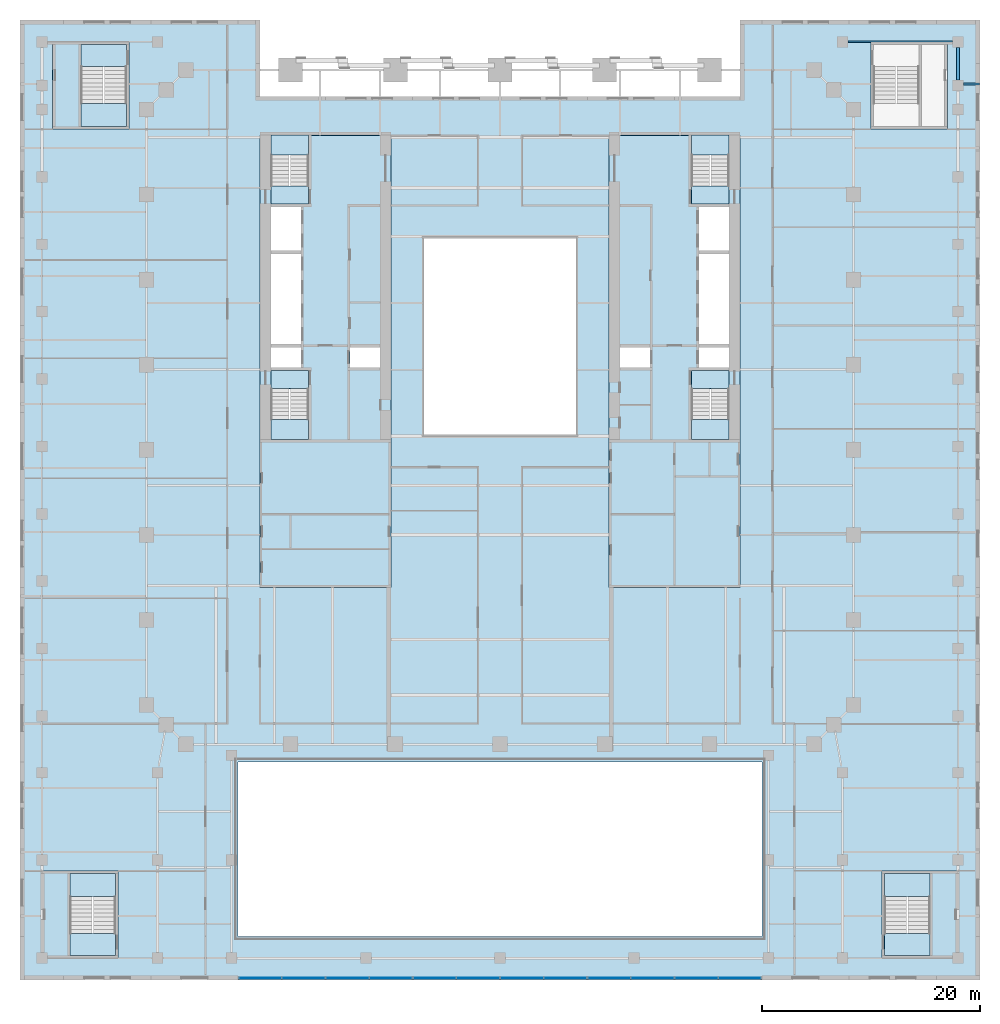
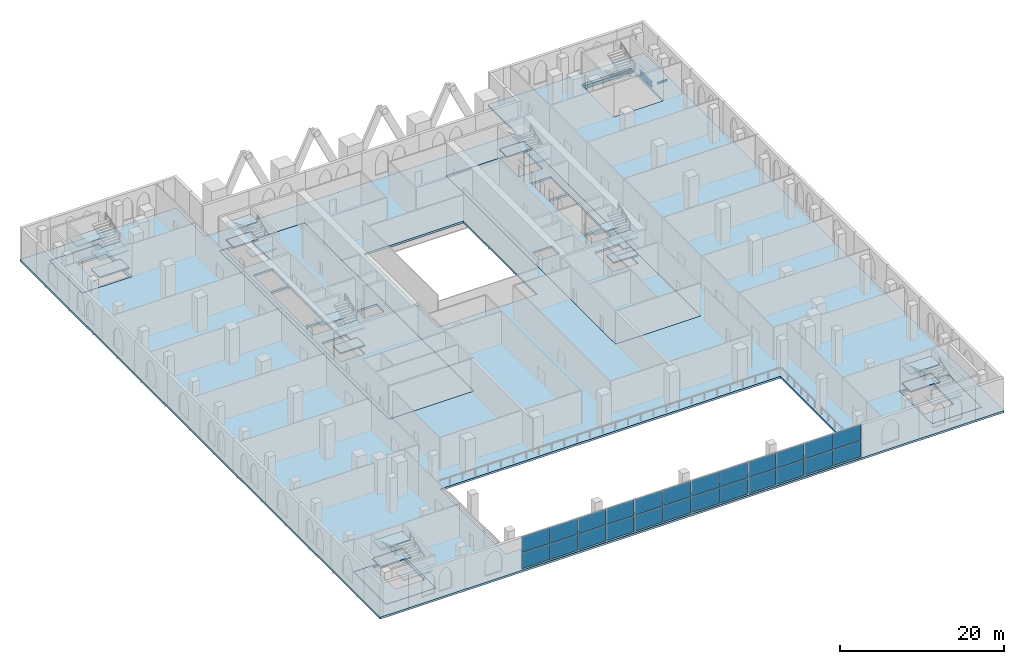
# One storey, part 7 of 22: 26 slabs, 24 plates, 3 beams, 13 elements without a shape of their own.
"""IFC4 building model written with IfcOpenShell, lengths in metres."""

from ifc_helpers import new_model, si_unit, direction, frame, origin, origin_2d, place, context, subcontext, project, spatial, polyline, rectangle, i_section, outline, extrude, material, layer, layer_set, material_profile, profile_set, type_object, element, aggregate, save


model = new_model("IFC4")

# Units and contexts
model_context = context("Model", 3, precision=1e-05, world=origin(), true_north=direction((0.0, 1.0)))
body_context = subcontext(model_context, "Body", "Model", "MODEL_VIEW")
ifc_project = project(units=[si_unit("LENGTHUNIT", "METRE"), si_unit("AREAUNIT", "SQUARE_METRE"), si_unit("VOLUMEUNIT", "CUBIC_METRE"), si_unit("PLANEANGLEUNIT", "RADIAN"), si_unit("MASSUNIT", "GRAM", prefix="KILO")], contexts=[model_context])

# Site, building, storey
site_placement = place(None, origin())
site = spatial("IfcSite", under=ifc_project, at=site_placement, CompositionType="ELEMENT")
building_placement = place(site_placement, origin())
building = spatial("IfcBuilding", under=site, at=building_placement, Name="Ogive Exchange Tower", CompositionType="ELEMENT")
storey_placement = place(building_placement, frame((0.0, 0.0, 14.0)))
storey = spatial("IfcBuildingStorey", under=building, at=storey_placement, Name="L02", CompositionType="ELEMENT", Elevation=14.0)

# Beams
ifc_material_1 = material(Name="Steel ASTM A992 Gr50", Category="steel")
ifc_material_profile_1 = material_profile(ifc_material_1, i_section(OverallWidth=0.1650390625, OverallDepth=0.31005859375, WebThickness=0.005859375, FlangeThickness=0.009765625, at=origin_2d()), Name="W310x38.7")
ifc_profile_set_1 = profile_set([ifc_material_profile_1], Name="Steel ASTM A992 Gr50")
beam_type_1 = type_object("IfcBeamType", Name="Floor beam W310x38.7", PredefinedType="JOIST", material=ifc_profile_set_1)
beam_1_placement = place(storey_placement, frame((42.5, 30.13330078125, -0.455078125), z_axis=(1.0, 0.0, 0.0), x_axis=(0.0, 1.0, 0.0)))
element("IfcBeam", 1, at=beam_1_placement, inside=storey, type_object=beam_type_1, Name="Floor beam", PredefinedType="JOIST", context=body_context, shape_type="SweptSolid", body=[
    extrude(i_section(OverallWidth=0.1650390625, OverallDepth=0.31005859375, WebThickness=0.005859375, FlangeThickness=0.009765625, at=origin_2d()), origin(), (0.0, 0.0, 1.0), 1.449951171875),
])
ifc_material_profile_2 = material_profile(ifc_material_1, i_section(OverallWidth=0.1669921875, OverallDepth=0.535888671875, WebThickness=0.01025390625, FlangeThickness=0.0166015625, at=origin_2d()), Name="W530x85")
ifc_profile_set_2 = profile_set([ifc_material_profile_2], Name="Steel ASTM A992 Gr50")
beam_type_2 = type_object("IfcBeamType", Name="Girder W530x85", PredefinedType="BEAM", material=ifc_profile_set_2)
beam_2_placement = place(storey_placement, frame((31.89990234375, 34.0, -0.568115234375), z_axis=(1.0, 0.0, 0.0), x_axis=(0.0, 1.0, 0.0)))
element("IfcBeam", 2, at=beam_2_placement, inside=storey, type_object=beam_type_2, Name="Girder", PredefinedType="BEAM", context=body_context, shape_type="SweptSolid", body=[
    extrude(i_section(OverallWidth=0.1669921875, OverallDepth=0.535888671875, WebThickness=0.01025390625, FlangeThickness=0.0166015625, at=origin_2d()), origin(), (0.0, 0.0, 1.0), 9.60009765625),
])
ifc_material_profile_3 = material_profile(ifc_material_1, i_section(OverallWidth=0.26708984375, OverallDepth=0.75390625, WebThickness=0.01318359375, FlangeThickness=0.01708984375, at=origin_2d()), Name="W760x147")
ifc_profile_set_3 = profile_set([ifc_material_profile_3], Name="Steel ASTM A992 Gr50")
beam_type_3 = type_object("IfcBeamType", Name="Girder W760x147", PredefinedType="BEAM", material=ifc_profile_set_3)
beam_3_placement = place(storey_placement, frame((42.0, 30.5, -0.677001953125), z_axis=(0.0, 1.0, 0.0), x_axis=(-1.0, 0.0, 0.0)))
element("IfcBeam", 3, at=beam_3_placement, inside=storey, type_object=beam_type_3, Name="Girder", PredefinedType="BEAM", context=body_context, shape_type="SweptSolid", body=[
    extrude(i_section(OverallWidth=0.26708984375, OverallDepth=0.75390625, WebThickness=0.01318359375, FlangeThickness=0.01708984375, at=origin_2d()), origin(), (0.0, 0.0, 1.0), 3.0),
])

# Slabs
ifc_material_2 = material(Name="Concrete C50/60", Category="concrete")
ifc_layer_1 = layer(ifc_material_2, 0.300048828125)
ifc_layer_set_1 = layer_set([ifc_layer_1], Name="Composite floor slab 300")
slab_type_1 = type_object("IfcSlabType", Name="Composite floor slab 300", PredefinedType="FLOOR", material=ifc_layer_set_1)
slab_1_placement = place(storey_placement, frame((0.0, 0.0, -0.300048828125)))
element("IfcSlab", 4, at=slab_1_placement, inside=storey, type_object=slab_type_1, Name="Composite floor slab", PredefinedType="FLOOR", context=body_context, shape_type="SweptSolid", body=[
    extrude(outline(polyline([(44.0, -52.0), (-44.0, -52.0), (-44.0, 36.0), (-22.0, 36.0), (-22.0, 29.0), (22.0, 29.0), (22.0, 36.0), (44.0, 36.0), (44.0, -52.0)]), holes=[polyline([(-42.0, -42.0), (-42.0, -50.0), (-35.0, -50.0), (-35.0, -42.0), (-42.0, -42.0)]), polyline([(35.0, -42.0), (35.0, -50.0), (42.0, -50.0), (42.0, -42.0), (35.0, -42.0)]), polyline([(-24.0, -32.0), (-24.0, -48.0), (24.0, -48.0), (24.0, -32.0), (-24.0, -32.0)]), polyline([(-22.0, 25.39990234375), (-22.0, -16.0), (-10.0, -16.0), (-10.0, 25.39990234375), (-22.0, 25.39990234375)]), polyline([(10.0, 25.39990234375), (10.0, -16.0), (22.0, -16.0), (22.0, 25.39990234375), (10.0, 25.39990234375)]), polyline([(-7.0, 16.0), (-7.0, -2.0), (7.0, -2.0), (7.0, 16.0), (-7.0, 16.0)]), polyline([(-41.0, 34.0), (-41.0, 26.0), (-34.0, 26.0), (-34.0, 34.0), (-41.0, 34.0)]), polyline([(34.0, 34.0), (34.0, 26.0), (41.0, 26.0), (41.0, 34.0), (34.0, 34.0)])]), origin(), (0.0, 0.0, 1.0), 0.300048828125),
])
ifc_material_3 = material(Name="Concrete C70/85", Category="concrete")
ifc_layer_2 = layer(ifc_material_3, 0.300048828125)
ifc_layer_set_2 = layer_set([ifc_layer_2], Name="Core floor slab 300")
slab_type_2 = type_object("IfcSlabType", Name="Core floor slab 300", PredefinedType="FLOOR", material=ifc_layer_set_2)
slab_2_placement = place(storey_placement, frame((0.0, 0.0, -0.300048828125)))
element("IfcSlab", 5, at=slab_2_placement, inside=storey, type_object=slab_type_2, Name="Core floor slab", PredefinedType="FLOOR", context=body_context, shape_type="SweptSolid", body=[
    extrude(outline(polyline([(-10.0, 25.39990234375), (-10.0, -16.0), (-22.0, -16.0), (-22.0, 25.39990234375), (-21.0, 25.39990234375), (-21.0, 20.803955078125), (-17.550048828125, 20.803955078125), (-17.550048828125, 25.39990234375), (-10.0, 25.39990234375)]), holes=[polyline([(-17.550048828125, 2.196044921875), (-21.0, 2.196044921875), (-21.0, -2.449951171875), (-17.550048828125, -2.449951171875), (-17.550048828125, 2.196044921875)]), polyline([(-18.25, 5.992919921875), (-21.0, 5.992919921875), (-21.0, 4.14990234375), (-18.25, 4.14990234375), (-18.25, 5.992919921875)]), polyline([(-11.0, 5.992919921875), (-13.75, 5.992919921875), (-13.75, 4.14990234375), (-11.0, 4.14990234375), (-11.0, 5.992919921875)]), polyline([(-21.0, 14.564208984375), (-21.0, 6.29296875), (-18.25, 6.29296875), (-18.25, 14.564208984375), (-21.0, 14.564208984375)]), polyline([(-18.25, 18.85009765625), (-21.0, 18.85009765625), (-21.0, 14.8642578125), (-18.25, 14.8642578125), (-18.25, 18.85009765625)])]), origin(), (0.0, 0.0, 1.0), 0.300048828125),
])
slab_3_placement = place(storey_placement, frame((0.0, 0.0, -0.300048828125)))
element("IfcSlab", 6, at=slab_3_placement, inside=storey, type_object=slab_type_2, Name="Core floor slab", PredefinedType="FLOOR", context=body_context, shape_type="SweptSolid", body=[
    extrude(outline(polyline([(22.0, 25.39990234375), (22.0, -16.0), (10.0, -16.0), (10.0, 25.39990234375), (17.550048828125, 25.39990234375), (17.550048828125, 20.803955078125), (21.0, 20.803955078125), (21.0, 25.39990234375), (22.0, 25.39990234375)]), holes=[polyline([(21.0, 2.196044921875), (17.550048828125, 2.196044921875), (17.550048828125, -2.449951171875), (21.0, -2.449951171875), (21.0, 2.196044921875)]), polyline([(13.75, 5.992919921875), (11.0, 5.992919921875), (11.0, 4.14990234375), (13.75, 4.14990234375), (13.75, 5.992919921875)]), polyline([(21.0, 5.992919921875), (18.25, 5.992919921875), (18.25, 4.14990234375), (21.0, 4.14990234375), (21.0, 5.992919921875)]), polyline([(18.25, 14.564208984375), (18.25, 6.29296875), (21.0, 6.29296875), (21.0, 14.564208984375), (18.25, 14.564208984375)]), polyline([(21.0, 18.85009765625), (18.25, 18.85009765625), (18.25, 14.8642578125), (21.0, 14.8642578125), (21.0, 18.85009765625)])]), origin(), (0.0, 0.0, 1.0), 0.300048828125),
])
slab_4_placement = place(storey_placement, frame((0.0, 0.0, -0.300048828125)))
element("IfcSlab", 7, at=slab_4_placement, inside=storey, type_object=slab_type_2, Name="Core floor slab", PredefinedType="FLOOR", context=body_context, shape_type="SweptSolid", body=[
    extrude(outline(polyline([(-42.0, -50.0), (-42.0, -42.0), (-35.0, -42.0), (-35.0, -50.0), (-42.0, -50.0)]), holes=[polyline([(-35.25, -42.25), (-39.39990234375, -42.25), (-39.39990234375, -47.74609375), (-35.25, -47.74609375), (-35.25, -42.25)])]), origin(), (0.0, 0.0, 1.0), 0.300048828125),
])
slab_5_placement = place(storey_placement, frame((0.0, 0.0, -0.300048828125)))
element("IfcSlab", 8, at=slab_5_placement, inside=storey, type_object=slab_type_2, Name="Core floor slab", PredefinedType="FLOOR", context=body_context, shape_type="SweptSolid", body=[
    extrude(outline(polyline([(35.0, -50.0), (35.0, -42.0), (42.0, -42.0), (42.0, -50.0), (35.0, -50.0)]), holes=[polyline([(39.39990234375, -42.25), (35.25, -42.25), (35.25, -47.74609375), (39.39990234375, -47.74609375), (39.39990234375, -42.25)])]), origin(), (0.0, 0.0, 1.0), 0.300048828125),
])
slab_6_placement = place(storey_placement, frame((0.0, 0.0, -0.300048828125)))
element("IfcSlab", 9, at=slab_6_placement, inside=storey, type_object=slab_type_2, Name="Core floor slab", PredefinedType="FLOOR", context=body_context, shape_type="SweptSolid", body=[
    extrude(outline(polyline([(-41.0, 26.0), (-41.0, 34.0), (-34.0, 34.0), (-34.0, 26.0), (-41.0, 26.0)]), holes=[polyline([(-38.39990234375, 26.25), (-34.25, 26.25), (-34.25, 31.74609375), (-38.39990234375, 31.74609375), (-38.39990234375, 26.25)])]), origin(), (0.0, 0.0, 1.0), 0.300048828125),
])

# Curtain wall, plates
ifc_material_4 = material(Name="Anodised aluminium and clear glass", Category="aluminium")
curtain_wall_type = type_object("IfcCurtainWallType", Name="Galleria end wall glazing", PredefinedType="NOTDEFINED", material=ifc_material_4)
curtain_wall_1_placement = place(storey_placement, origin())
curtain_wall_1 = element("IfcCurtainWall", 10, at=curtain_wall_1_placement, inside=storey, type_object=curtain_wall_type, Name="Galleria end wall glazing run GE4", PredefinedType="NOTDEFINED")
ifc_material_5 = material(Name="Clear glass", Category="glass")
ifc_layer_3 = layer(ifc_material_5, 0.0400390625)
ifc_layer_set_3 = layer_set([ifc_layer_3], Name="Laminated clear glass panel 40")
plate_type = type_object("IfcPlateType", Name="Laminated clear glass panel 40", PredefinedType="CURTAIN_PANEL", material=ifc_layer_set_3)
plate_1_placement = place(storey_placement, frame((-21.97998046875, -51.800048828125, 0.080078125), z_axis=(0.0, 0.0, 1.0), x_axis=(1.0, 0.0, 0.0)))
plate_1 = element("IfcPlate", 11, at=plate_1_placement, type_object=plate_type, Name="GE4 panel 1.1", PredefinedType="CURTAIN_PANEL", context=body_context, shape_type="SweptSolid", body=[
    extrude(rectangle(XDim=3.8798828125, YDim=0.0400390625, at=origin_2d()), origin(), (0.0, 0.0, 1.0), 2.330078125),
])
plate_2_placement = place(storey_placement, frame((-21.97998046875, -51.800048828125, 2.489990234375), z_axis=(0.0, 0.0, 1.0), x_axis=(1.0, 0.0, 0.0)))
plate_2 = element("IfcPlate", 12, at=plate_2_placement, type_object=plate_type, Name="GE4 panel 1.2", PredefinedType="CURTAIN_PANEL", context=body_context, shape_type="SweptSolid", body=[
    extrude(rectangle(XDim=3.8798828125, YDim=0.0400390625, at=origin_2d()), origin(), (0.0, 0.0, 1.0), 2.330078125),
])
plate_3_placement = place(storey_placement, frame((-18.02001953125, -51.800048828125, 0.080078125), z_axis=(0.0, 0.0, 1.0), x_axis=(1.0, 0.0, 0.0)))
plate_3 = element("IfcPlate", 13, at=plate_3_placement, type_object=plate_type, Name="GE4 panel 2.1", PredefinedType="CURTAIN_PANEL", context=body_context, shape_type="SweptSolid", body=[
    extrude(rectangle(XDim=3.8798828125, YDim=0.0400390625, at=origin_2d()), origin(), (0.0, 0.0, 1.0), 2.330078125),
])
plate_4_placement = place(storey_placement, frame((-18.02001953125, -51.800048828125, 2.489990234375), z_axis=(0.0, 0.0, 1.0), x_axis=(1.0, 0.0, 0.0)))
plate_4 = element("IfcPlate", 14, at=plate_4_placement, type_object=plate_type, Name="GE4 panel 2.2", PredefinedType="CURTAIN_PANEL", context=body_context, shape_type="SweptSolid", body=[
    extrude(rectangle(XDim=3.8798828125, YDim=0.0400390625, at=origin_2d()), origin(), (0.0, 0.0, 1.0), 2.330078125),
])
aggregate(curtain_wall_1, [plate_1, plate_2, plate_3, plate_4])

curtain_wall_2_placement = place(storey_placement, origin())
curtain_wall_2 = element("IfcCurtainWall", 15, at=curtain_wall_2_placement, inside=storey, type_object=curtain_wall_type, Name="Galleria end wall glazing run GE5", PredefinedType="NOTDEFINED")
plate_5_placement = place(storey_placement, frame((-13.97998046875, -51.800048828125, 0.080078125), z_axis=(0.0, 0.0, 1.0), x_axis=(1.0, 0.0, 0.0)))
plate_5 = element("IfcPlate", 16, at=plate_5_placement, type_object=plate_type, Name="GE5 panel 1.1", PredefinedType="CURTAIN_PANEL", context=body_context, shape_type="SweptSolid", body=[
    extrude(rectangle(XDim=3.8798828125, YDim=0.0400390625, at=origin_2d()), origin(), (0.0, 0.0, 1.0), 2.330078125),
])
plate_6_placement = place(storey_placement, frame((-13.97998046875, -51.800048828125, 2.489990234375), z_axis=(0.0, 0.0, 1.0), x_axis=(1.0, 0.0, 0.0)))
plate_6 = element("IfcPlate", 17, at=plate_6_placement, type_object=plate_type, Name="GE5 panel 1.2", PredefinedType="CURTAIN_PANEL", context=body_context, shape_type="SweptSolid", body=[
    extrude(rectangle(XDim=3.8798828125, YDim=0.0400390625, at=origin_2d()), origin(), (0.0, 0.0, 1.0), 2.330078125),
])
plate_7_placement = place(storey_placement, frame((-10.02001953125, -51.800048828125, 0.080078125), z_axis=(0.0, 0.0, 1.0), x_axis=(1.0, 0.0, 0.0)))
plate_7 = element("IfcPlate", 18, at=plate_7_placement, type_object=plate_type, Name="GE5 panel 2.1", PredefinedType="CURTAIN_PANEL", context=body_context, shape_type="SweptSolid", body=[
    extrude(rectangle(XDim=3.8798828125, YDim=0.0400390625, at=origin_2d()), origin(), (0.0, 0.0, 1.0), 2.330078125),
])
plate_8_placement = place(storey_placement, frame((-10.02001953125, -51.800048828125, 2.489990234375), z_axis=(0.0, 0.0, 1.0), x_axis=(1.0, 0.0, 0.0)))
plate_8 = element("IfcPlate", 19, at=plate_8_placement, type_object=plate_type, Name="GE5 panel 2.2", PredefinedType="CURTAIN_PANEL", context=body_context, shape_type="SweptSolid", body=[
    extrude(rectangle(XDim=3.8798828125, YDim=0.0400390625, at=origin_2d()), origin(), (0.0, 0.0, 1.0), 2.330078125),
])
aggregate(curtain_wall_2, [plate_5, plate_6, plate_7, plate_8])

curtain_wall_3_placement = place(storey_placement, origin())
curtain_wall_3 = element("IfcCurtainWall", 20, at=curtain_wall_3_placement, inside=storey, type_object=curtain_wall_type, Name="Galleria end wall glazing run GE6", PredefinedType="NOTDEFINED")
plate_9_placement = place(storey_placement, frame((-5.97998046875, -51.800048828125, 0.080078125), z_axis=(0.0, 0.0, 1.0), x_axis=(1.0, 0.0, 0.0)))
plate_9 = element("IfcPlate", 21, at=plate_9_placement, type_object=plate_type, Name="GE6 panel 1.1", PredefinedType="CURTAIN_PANEL", context=body_context, shape_type="SweptSolid", body=[
    extrude(rectangle(XDim=3.8798828125, YDim=0.0400390625, at=origin_2d()), origin(), (0.0, 0.0, 1.0), 2.330078125),
])
plate_10_placement = place(storey_placement, frame((-5.97998046875, -51.800048828125, 2.489990234375), z_axis=(0.0, 0.0, 1.0), x_axis=(1.0, 0.0, 0.0)))
plate_10 = element("IfcPlate", 22, at=plate_10_placement, type_object=plate_type, Name="GE6 panel 1.2", PredefinedType="CURTAIN_PANEL", context=body_context, shape_type="SweptSolid", body=[
    extrude(rectangle(XDim=3.8798828125, YDim=0.0400390625, at=origin_2d()), origin(), (0.0, 0.0, 1.0), 2.330078125),
])
plate_11_placement = place(storey_placement, frame((-2.02001953125, -51.800048828125, 0.080078125), z_axis=(0.0, 0.0, 1.0), x_axis=(1.0, 0.0, 0.0)))
plate_11 = element("IfcPlate", 23, at=plate_11_placement, type_object=plate_type, Name="GE6 panel 2.1", PredefinedType="CURTAIN_PANEL", context=body_context, shape_type="SweptSolid", body=[
    extrude(rectangle(XDim=3.8798828125, YDim=0.0400390625, at=origin_2d()), origin(), (0.0, 0.0, 1.0), 2.330078125),
])
plate_12_placement = place(storey_placement, frame((-2.02001953125, -51.800048828125, 2.489990234375), z_axis=(0.0, 0.0, 1.0), x_axis=(1.0, 0.0, 0.0)))
plate_12 = element("IfcPlate", 24, at=plate_12_placement, type_object=plate_type, Name="GE6 panel 2.2", PredefinedType="CURTAIN_PANEL", context=body_context, shape_type="SweptSolid", body=[
    extrude(rectangle(XDim=3.8798828125, YDim=0.0400390625, at=origin_2d()), origin(), (0.0, 0.0, 1.0), 2.330078125),
])
aggregate(curtain_wall_3, [plate_9, plate_10, plate_11, plate_12])

curtain_wall_4_placement = place(storey_placement, origin())
curtain_wall_4 = element("IfcCurtainWall", 25, at=curtain_wall_4_placement, inside=storey, type_object=curtain_wall_type, Name="Galleria end wall glazing run GE7", PredefinedType="NOTDEFINED")
plate_13_placement = place(storey_placement, frame((2.02001953125, -51.800048828125, 0.080078125), z_axis=(0.0, 0.0, 1.0), x_axis=(1.0, 0.0, 0.0)))
plate_13 = element("IfcPlate", 26, at=plate_13_placement, type_object=plate_type, Name="GE7 panel 1.1", PredefinedType="CURTAIN_PANEL", context=body_context, shape_type="SweptSolid", body=[
    extrude(rectangle(XDim=3.8798828125, YDim=0.0400390625, at=origin_2d()), origin(), (0.0, 0.0, 1.0), 2.330078125),
])
plate_14_placement = place(storey_placement, frame((2.02001953125, -51.800048828125, 2.489990234375), z_axis=(0.0, 0.0, 1.0), x_axis=(1.0, 0.0, 0.0)))
plate_14 = element("IfcPlate", 27, at=plate_14_placement, type_object=plate_type, Name="GE7 panel 1.2", PredefinedType="CURTAIN_PANEL", context=body_context, shape_type="SweptSolid", body=[
    extrude(rectangle(XDim=3.8798828125, YDim=0.0400390625, at=origin_2d()), origin(), (0.0, 0.0, 1.0), 2.330078125),
])
plate_15_placement = place(storey_placement, frame((5.97998046875, -51.800048828125, 0.080078125), z_axis=(0.0, 0.0, 1.0), x_axis=(1.0, 0.0, 0.0)))
plate_15 = element("IfcPlate", 28, at=plate_15_placement, type_object=plate_type, Name="GE7 panel 2.1", PredefinedType="CURTAIN_PANEL", context=body_context, shape_type="SweptSolid", body=[
    extrude(rectangle(XDim=3.8798828125, YDim=0.0400390625, at=origin_2d()), origin(), (0.0, 0.0, 1.0), 2.330078125),
])
plate_16_placement = place(storey_placement, frame((5.97998046875, -51.800048828125, 2.489990234375), z_axis=(0.0, 0.0, 1.0), x_axis=(1.0, 0.0, 0.0)))
plate_16 = element("IfcPlate", 29, at=plate_16_placement, type_object=plate_type, Name="GE7 panel 2.2", PredefinedType="CURTAIN_PANEL", context=body_context, shape_type="SweptSolid", body=[
    extrude(rectangle(XDim=3.8798828125, YDim=0.0400390625, at=origin_2d()), origin(), (0.0, 0.0, 1.0), 2.330078125),
])
aggregate(curtain_wall_4, [plate_13, plate_14, plate_15, plate_16])

curtain_wall_5_placement = place(storey_placement, origin())
curtain_wall_5 = element("IfcCurtainWall", 30, at=curtain_wall_5_placement, inside=storey, type_object=curtain_wall_type, Name="Galleria end wall glazing run GE8", PredefinedType="NOTDEFINED")
plate_17_placement = place(storey_placement, frame((10.02001953125, -51.800048828125, 0.080078125), z_axis=(0.0, 0.0, 1.0), x_axis=(1.0, 0.0, 0.0)))
plate_17 = element("IfcPlate", 31, at=plate_17_placement, type_object=plate_type, Name="GE8 panel 1.1", PredefinedType="CURTAIN_PANEL", context=body_context, shape_type="SweptSolid", body=[
    extrude(rectangle(XDim=3.8798828125, YDim=0.0400390625, at=origin_2d()), origin(), (0.0, 0.0, 1.0), 2.330078125),
])
plate_18_placement = place(storey_placement, frame((10.02001953125, -51.800048828125, 2.489990234375), z_axis=(0.0, 0.0, 1.0), x_axis=(1.0, 0.0, 0.0)))
plate_18 = element("IfcPlate", 32, at=plate_18_placement, type_object=plate_type, Name="GE8 panel 1.2", PredefinedType="CURTAIN_PANEL", context=body_context, shape_type="SweptSolid", body=[
    extrude(rectangle(XDim=3.8798828125, YDim=0.0400390625, at=origin_2d()), origin(), (0.0, 0.0, 1.0), 2.330078125),
])
plate_19_placement = place(storey_placement, frame((13.97998046875, -51.800048828125, 0.080078125), z_axis=(0.0, 0.0, 1.0), x_axis=(1.0, 0.0, 0.0)))
plate_19 = element("IfcPlate", 33, at=plate_19_placement, type_object=plate_type, Name="GE8 panel 2.1", PredefinedType="CURTAIN_PANEL", context=body_context, shape_type="SweptSolid", body=[
    extrude(rectangle(XDim=3.8798828125, YDim=0.0400390625, at=origin_2d()), origin(), (0.0, 0.0, 1.0), 2.330078125),
])
plate_20_placement = place(storey_placement, frame((13.97998046875, -51.800048828125, 2.489990234375), z_axis=(0.0, 0.0, 1.0), x_axis=(1.0, 0.0, 0.0)))
plate_20 = element("IfcPlate", 34, at=plate_20_placement, type_object=plate_type, Name="GE8 panel 2.2", PredefinedType="CURTAIN_PANEL", context=body_context, shape_type="SweptSolid", body=[
    extrude(rectangle(XDim=3.8798828125, YDim=0.0400390625, at=origin_2d()), origin(), (0.0, 0.0, 1.0), 2.330078125),
])
aggregate(curtain_wall_5, [plate_17, plate_18, plate_19, plate_20])

curtain_wall_6_placement = place(storey_placement, origin())
curtain_wall_6 = element("IfcCurtainWall", 35, at=curtain_wall_6_placement, inside=storey, type_object=curtain_wall_type, Name="Galleria end wall glazing run GE9", PredefinedType="NOTDEFINED")
plate_21_placement = place(storey_placement, frame((18.02001953125, -51.800048828125, 0.080078125), z_axis=(0.0, 0.0, 1.0), x_axis=(1.0, 0.0, 0.0)))
plate_21 = element("IfcPlate", 36, at=plate_21_placement, type_object=plate_type, Name="GE9 panel 1.1", PredefinedType="CURTAIN_PANEL", context=body_context, shape_type="SweptSolid", body=[
    extrude(rectangle(XDim=3.8798828125, YDim=0.0400390625, at=origin_2d()), origin(), (0.0, 0.0, 1.0), 2.330078125),
])
plate_22_placement = place(storey_placement, frame((18.02001953125, -51.800048828125, 2.489990234375), z_axis=(0.0, 0.0, 1.0), x_axis=(1.0, 0.0, 0.0)))
plate_22 = element("IfcPlate", 37, at=plate_22_placement, type_object=plate_type, Name="GE9 panel 1.2", PredefinedType="CURTAIN_PANEL", context=body_context, shape_type="SweptSolid", body=[
    extrude(rectangle(XDim=3.8798828125, YDim=0.0400390625, at=origin_2d()), origin(), (0.0, 0.0, 1.0), 2.330078125),
])
plate_23_placement = place(storey_placement, frame((21.97998046875, -51.800048828125, 0.080078125), z_axis=(0.0, 0.0, 1.0), x_axis=(1.0, 0.0, 0.0)))
plate_23 = element("IfcPlate", 38, at=plate_23_placement, type_object=plate_type, Name="GE9 panel 2.1", PredefinedType="CURTAIN_PANEL", context=body_context, shape_type="SweptSolid", body=[
    extrude(rectangle(XDim=3.8798828125, YDim=0.0400390625, at=origin_2d()), origin(), (0.0, 0.0, 1.0), 2.330078125),
])
plate_24_placement = place(storey_placement, frame((21.97998046875, -51.800048828125, 2.489990234375), z_axis=(0.0, 0.0, 1.0), x_axis=(1.0, 0.0, 0.0)))
plate_24 = element("IfcPlate", 39, at=plate_24_placement, type_object=plate_type, Name="GE9 panel 2.2", PredefinedType="CURTAIN_PANEL", context=body_context, shape_type="SweptSolid", body=[
    extrude(rectangle(XDim=3.8798828125, YDim=0.0400390625, at=origin_2d()), origin(), (0.0, 0.0, 1.0), 2.330078125),
])
aggregate(curtain_wall_6, [plate_21, plate_22, plate_23, plate_24])

# Stair, slabs
ifc_material_6 = material(Name="Concrete C40/50", Category="concrete")
stair_type_1 = type_object("IfcStairType", Name="Exit stair 1650 wide", PredefinedType="HALF_TURN_STAIR", material=ifc_material_6)
stair_1_placement = place(storey_placement, origin())
stair_1 = element("IfcStair", 40, at=stair_1_placement, inside=storey, type_object=stair_type_1, Name="L02 exit stair ST1", PredefinedType="HALF_TURN_STAIR")
ifc_layer_4 = layer(ifc_material_6, 0.199951171875)
ifc_layer_set_4 = layer_set([ifc_layer_4], Name="Stair landing 200 slab")
slab_type_3 = type_object("IfcSlabType", Name="Stair landing 200 slab", PredefinedType="LANDING", material=ifc_layer_set_4)
slab_7_placement = place(storey_placement, frame((0.0, 0.0, 1.10009765625)))
slab_7 = element("IfcSlab", 41, at=slab_7_placement, type_object=slab_type_3, Name="ST1 landing 1", PredefinedType="LANDING", context=body_context, shape_type="SweptSolid", body=[
    extrude(outline(polyline([(-21.0, -0.60791015625), (-21.0, -2.449951171875), (-17.550048828125, -2.449951171875), (-17.550048828125, -0.60791015625), (-21.0, -0.60791015625)])), origin(), (0.0, 0.0, 1.0), 0.199951171875),
])
slab_8_placement = place(storey_placement, frame((0.0, 0.0, 2.39990234375)))
slab_8 = element("IfcSlab", 42, at=slab_8_placement, type_object=slab_type_3, Name="ST1 landing 2", PredefinedType="LANDING", context=body_context, shape_type="SweptSolid", body=[
    extrude(outline(polyline([(-21.0, 3.85009765625), (-21.0, 2.199951171875), (-17.550048828125, 2.199951171875), (-17.550048828125, 3.85009765625), (-21.0, 3.85009765625)])), origin(), (0.0, 0.0, 1.0), 0.2001953125),
])
slab_9_placement = place(storey_placement, frame((0.0, 0.0, 3.699951171875)))
slab_9 = element("IfcSlab", 43, at=slab_9_placement, type_object=slab_type_3, Name="ST1 landing 3", PredefinedType="LANDING", context=body_context, shape_type="SweptSolid", body=[
    extrude(outline(polyline([(-21.0, -0.60791015625), (-21.0, -2.449951171875), (-17.550048828125, -2.449951171875), (-17.550048828125, -0.60791015625), (-21.0, -0.60791015625)])), origin(), (0.0, 0.0, 1.0), 0.199951171875),
])
aggregate(stair_1, [slab_7, slab_8, slab_9])

stair_2_placement = place(storey_placement, origin())
stair_2 = element("IfcStair", 44, at=stair_2_placement, inside=storey, type_object=stair_type_1, Name="L02 exit stair ST2", PredefinedType="HALF_TURN_STAIR")
slab_10_placement = place(storey_placement, frame((0.0, 0.0, 1.10009765625)))
slab_10 = element("IfcSlab", 45, at=slab_10_placement, type_object=slab_type_3, Name="ST2 landing 1", PredefinedType="LANDING", context=body_context, shape_type="SweptSolid", body=[
    extrude(outline(polyline([(-17.550048828125, 23.60791015625), (-17.550048828125, 25.449951171875), (-21.0, 25.449951171875), (-21.0, 23.60791015625), (-17.550048828125, 23.60791015625)])), origin(), (0.0, 0.0, 1.0), 0.199951171875),
])
slab_11_placement = place(storey_placement, frame((0.0, 0.0, 2.39990234375)))
slab_11 = element("IfcSlab", 46, at=slab_11_placement, type_object=slab_type_3, Name="ST2 landing 2", PredefinedType="LANDING", context=body_context, shape_type="SweptSolid", body=[
    extrude(outline(polyline([(-17.550048828125, 19.14990234375), (-17.550048828125, 20.800048828125), (-21.0, 20.800048828125), (-21.0, 19.14990234375), (-17.550048828125, 19.14990234375)])), origin(), (0.0, 0.0, 1.0), 0.2001953125),
])
slab_12_placement = place(storey_placement, frame((0.0, 0.0, 3.699951171875)))
slab_12 = element("IfcSlab", 47, at=slab_12_placement, type_object=slab_type_3, Name="ST2 landing 3", PredefinedType="LANDING", context=body_context, shape_type="SweptSolid", body=[
    extrude(outline(polyline([(-17.550048828125, 23.60791015625), (-17.550048828125, 25.449951171875), (-21.0, 25.449951171875), (-21.0, 23.60791015625), (-17.550048828125, 23.60791015625)])), origin(), (0.0, 0.0, 1.0), 0.199951171875),
])
aggregate(stair_2, [slab_10, slab_11, slab_12])

stair_3_placement = place(storey_placement, origin())
stair_3 = element("IfcStair", 48, at=stair_3_placement, inside=storey, type_object=stair_type_1, Name="L02 exit stair ST3", PredefinedType="HALF_TURN_STAIR")
slab_13_placement = place(storey_placement, frame((0.0, 0.0, 1.10009765625)))
slab_13 = element("IfcSlab", 49, at=slab_13_placement, type_object=slab_type_3, Name="ST3 landing 1", PredefinedType="LANDING", context=body_context, shape_type="SweptSolid", body=[
    extrude(outline(polyline([(17.550048828125, -0.60791015625), (17.550048828125, -2.449951171875), (21.0, -2.449951171875), (21.0, -0.60791015625), (17.550048828125, -0.60791015625)])), origin(), (0.0, 0.0, 1.0), 0.199951171875),
])
slab_14_placement = place(storey_placement, frame((0.0, 0.0, 2.39990234375)))
slab_14 = element("IfcSlab", 50, at=slab_14_placement, type_object=slab_type_3, Name="ST3 landing 2", PredefinedType="LANDING", context=body_context, shape_type="SweptSolid", body=[
    extrude(outline(polyline([(17.550048828125, 3.85009765625), (17.550048828125, 2.199951171875), (21.0, 2.199951171875), (21.0, 3.85009765625), (17.550048828125, 3.85009765625)])), origin(), (0.0, 0.0, 1.0), 0.2001953125),
])
slab_15_placement = place(storey_placement, frame((0.0, 0.0, 3.699951171875)))
slab_15 = element("IfcSlab", 51, at=slab_15_placement, type_object=slab_type_3, Name="ST3 landing 3", PredefinedType="LANDING", context=body_context, shape_type="SweptSolid", body=[
    extrude(outline(polyline([(17.550048828125, -0.60791015625), (17.550048828125, -2.449951171875), (21.0, -2.449951171875), (21.0, -0.60791015625), (17.550048828125, -0.60791015625)])), origin(), (0.0, 0.0, 1.0), 0.199951171875),
])
aggregate(stair_3, [slab_13, slab_14, slab_15])

stair_4_placement = place(storey_placement, origin())
stair_4 = element("IfcStair", 52, at=stair_4_placement, inside=storey, type_object=stair_type_1, Name="L02 exit stair ST4", PredefinedType="HALF_TURN_STAIR")
slab_16_placement = place(storey_placement, frame((0.0, 0.0, 1.10009765625)))
slab_16 = element("IfcSlab", 53, at=slab_16_placement, type_object=slab_type_3, Name="ST4 landing 1", PredefinedType="LANDING", context=body_context, shape_type="SweptSolid", body=[
    extrude(outline(polyline([(21.0, 23.60791015625), (21.0, 25.449951171875), (17.550048828125, 25.449951171875), (17.550048828125, 23.60791015625), (21.0, 23.60791015625)])), origin(), (0.0, 0.0, 1.0), 0.199951171875),
])
slab_17_placement = place(storey_placement, frame((0.0, 0.0, 2.39990234375)))
slab_17 = element("IfcSlab", 54, at=slab_17_placement, type_object=slab_type_3, Name="ST4 landing 2", PredefinedType="LANDING", context=body_context, shape_type="SweptSolid", body=[
    extrude(outline(polyline([(21.0, 19.14990234375), (21.0, 20.800048828125), (17.550048828125, 20.800048828125), (17.550048828125, 19.14990234375), (21.0, 19.14990234375)])), origin(), (0.0, 0.0, 1.0), 0.2001953125),
])
aggregate(stair_4, [slab_16, slab_17])

stair_type_2 = type_object("IfcStairType", Name="Exit stair 2000 wide", PredefinedType="HALF_TURN_STAIR", material=ifc_material_6)
stair_5_placement = place(storey_placement, origin())
stair_5 = element("IfcStair", 55, at=stair_5_placement, inside=storey, type_object=stair_type_2, Name="L02 exit stair PS1", PredefinedType="HALF_TURN_STAIR")
slab_18_placement = place(storey_placement, frame((0.0, 0.0, 1.10009765625)))
slab_18 = element("IfcSlab", 56, at=slab_18_placement, type_object=slab_type_3, Name="PS1 landing 1", PredefinedType="LANDING", context=body_context, shape_type="SweptSolid", body=[
    extrude(outline(polyline([(-35.25, -44.347900390625), (-35.25, -42.25), (-39.39990234375, -42.25), (-39.39990234375, -44.347900390625), (-35.25, -44.347900390625)])), origin(), (0.0, 0.0, 1.0), 0.199951171875),
])
slab_19_placement = place(storey_placement, frame((0.0, 0.0, 2.39990234375)))
slab_19 = element("IfcSlab", 57, at=slab_19_placement, type_object=slab_type_3, Name="PS1 landing 2", PredefinedType="LANDING", context=body_context, shape_type="SweptSolid", body=[
    extrude(outline(polyline([(-35.25, -49.75), (-35.25, -47.75), (-39.39990234375, -47.75), (-39.39990234375, -49.75), (-35.25, -49.75)])), origin(), (0.0, 0.0, 1.0), 0.2001953125),
])
slab_20_placement = place(storey_placement, frame((0.0, 0.0, 3.699951171875)))
slab_20 = element("IfcSlab", 58, at=slab_20_placement, type_object=slab_type_3, Name="PS1 landing 3", PredefinedType="LANDING", context=body_context, shape_type="SweptSolid", body=[
    extrude(outline(polyline([(-35.25, -44.347900390625), (-35.25, -42.25), (-39.39990234375, -42.25), (-39.39990234375, -44.347900390625), (-35.25, -44.347900390625)])), origin(), (0.0, 0.0, 1.0), 0.199951171875),
])
aggregate(stair_5, [slab_18, slab_19, slab_20])

stair_6_placement = place(storey_placement, origin())
stair_6 = element("IfcStair", 59, at=stair_6_placement, inside=storey, type_object=stair_type_2, Name="L02 exit stair PS2", PredefinedType="HALF_TURN_STAIR")
slab_21_placement = place(storey_placement, frame((0.0, 0.0, 1.10009765625)))
slab_21 = element("IfcSlab", 60, at=slab_21_placement, type_object=slab_type_3, Name="PS2 landing 1", PredefinedType="LANDING", context=body_context, shape_type="SweptSolid", body=[
    extrude(outline(polyline([(39.39990234375, -44.347900390625), (39.39990234375, -42.25), (35.25, -42.25), (35.25, -44.347900390625), (39.39990234375, -44.347900390625)])), origin(), (0.0, 0.0, 1.0), 0.199951171875),
])
slab_22_placement = place(storey_placement, frame((0.0, 0.0, 2.39990234375)))
slab_22 = element("IfcSlab", 61, at=slab_22_placement, type_object=slab_type_3, Name="PS2 landing 2", PredefinedType="LANDING", context=body_context, shape_type="SweptSolid", body=[
    extrude(outline(polyline([(39.39990234375, -49.75), (39.39990234375, -47.75), (35.25, -47.75), (35.25, -49.75), (39.39990234375, -49.75)])), origin(), (0.0, 0.0, 1.0), 0.2001953125),
])
slab_23_placement = place(storey_placement, frame((0.0, 0.0, 3.699951171875)))
slab_23 = element("IfcSlab", 62, at=slab_23_placement, type_object=slab_type_3, Name="PS2 landing 3", PredefinedType="LANDING", context=body_context, shape_type="SweptSolid", body=[
    extrude(outline(polyline([(39.39990234375, -44.347900390625), (39.39990234375, -42.25), (35.25, -42.25), (35.25, -44.347900390625), (39.39990234375, -44.347900390625)])), origin(), (0.0, 0.0, 1.0), 0.199951171875),
])
aggregate(stair_6, [slab_21, slab_22, slab_23])

stair_7_placement = place(storey_placement, origin())
stair_7 = element("IfcStair", 63, at=stair_7_placement, inside=storey, type_object=stair_type_2, Name="L02 exit stair PS3", PredefinedType="HALF_TURN_STAIR")
slab_24_placement = place(storey_placement, frame((0.0, 0.0, 1.10009765625)))
slab_24 = element("IfcSlab", 64, at=slab_24_placement, type_object=slab_type_3, Name="PS3 landing 1", PredefinedType="LANDING", context=body_context, shape_type="SweptSolid", body=[
    extrude(outline(polyline([(-38.39990234375, 28.347900390625), (-38.39990234375, 26.25), (-34.25, 26.25), (-34.25, 28.347900390625), (-38.39990234375, 28.347900390625)])), origin(), (0.0, 0.0, 1.0), 0.199951171875),
])
slab_25_placement = place(storey_placement, frame((0.0, 0.0, 2.39990234375)))
slab_25 = element("IfcSlab", 65, at=slab_25_placement, type_object=slab_type_3, Name="PS3 landing 2", PredefinedType="LANDING", context=body_context, shape_type="SweptSolid", body=[
    extrude(outline(polyline([(-38.39990234375, 33.75), (-38.39990234375, 31.75), (-34.25, 31.75), (-34.25, 33.75), (-38.39990234375, 33.75)])), origin(), (0.0, 0.0, 1.0), 0.2001953125),
])
slab_26_placement = place(storey_placement, frame((0.0, 0.0, 3.699951171875)))
slab_26 = element("IfcSlab", 66, at=slab_26_placement, type_object=slab_type_3, Name="PS3 landing 3", PredefinedType="LANDING", context=body_context, shape_type="SweptSolid", body=[
    extrude(outline(polyline([(-38.39990234375, 28.347900390625), (-38.39990234375, 26.25), (-34.25, 26.25), (-34.25, 28.347900390625), (-38.39990234375, 28.347900390625)])), origin(), (0.0, 0.0, 1.0), 0.199951171875),
])
aggregate(stair_7, [slab_24, slab_25, slab_26])

save(model, "model.ifc")
